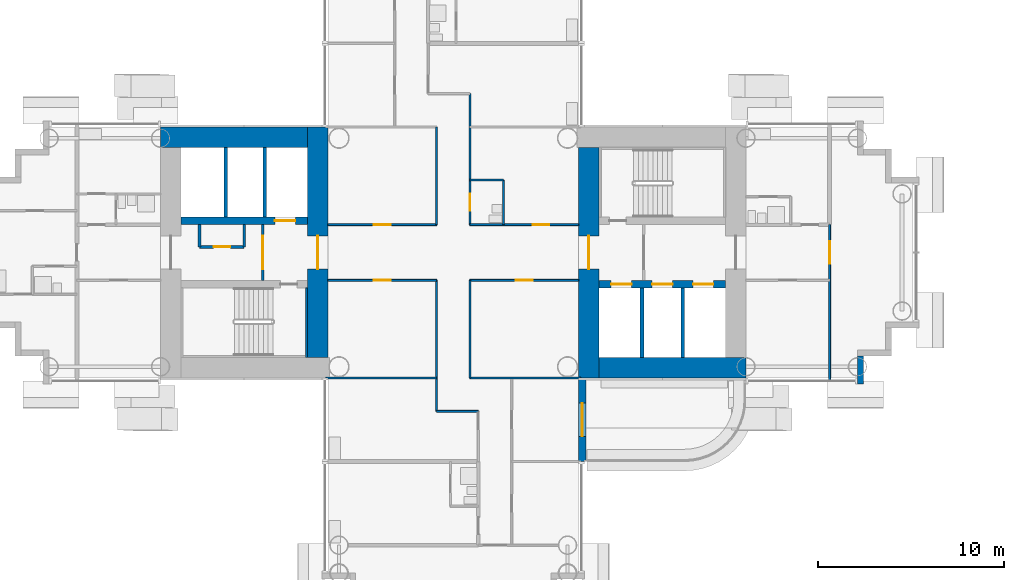
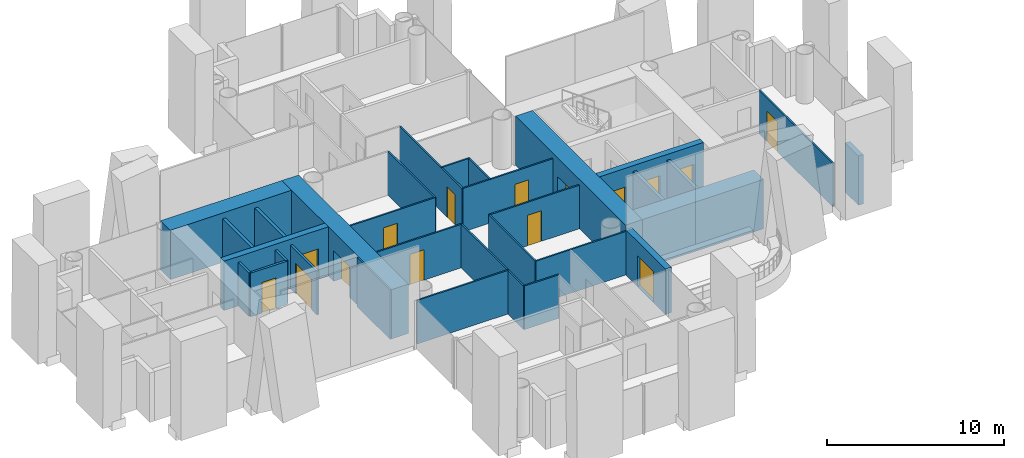
# One storey, part 11 of 23: 31 walls, 15 doors, 15 openings.
"""IFC4 building model written with IfcOpenShell, lengths in metres."""

from ifc_helpers import new_model, si_unit, direction, frame, frame_2d, origin, place, context, subcontext, project, spatial, rectangle, extrude, material, layer, layer_set, type_object, element, fill, save


model = new_model("IFC4")

# Units and contexts
model_context = context("Model", 3, precision=1e-05, world=origin(), true_north=direction((0.0, 1.0)))
body_context = subcontext(model_context, "Body", "Model", "MODEL_VIEW")
ifc_project = project(units=[si_unit("LENGTHUNIT", "METRE"), si_unit("AREAUNIT", "SQUARE_METRE"), si_unit("VOLUMEUNIT", "CUBIC_METRE"), si_unit("PLANEANGLEUNIT", "RADIAN"), si_unit("MASSUNIT", "GRAM", prefix="KILO")], contexts=[model_context])

# Site, building, storey
site_placement = place(None, origin())
site = spatial("IfcSite", under=ifc_project, at=site_placement, CompositionType="ELEMENT")
building_placement = place(site_placement, origin())
building = spatial("IfcBuilding", under=site, at=building_placement, Name="Ipe Terrace Towers", CompositionType="ELEMENT")
storey_placement = place(building_placement, frame((0.0, 0.0, 44.89990234375)))
storey = spatial("IfcBuildingStorey", under=building, at=storey_placement, Name="L11", CompositionType="ELEMENT", Elevation=44.89990234375)

# Wall, opening, door
ifc_material_1 = material(Name="Concrete C40/50 with buff precast cladding", Category="concrete")
ifc_layer_1 = layer(ifc_material_1, 0.39990234375)
ifc_layer_set_1 = layer_set([ifc_layer_1], Name="BALCONY BAY WALL 400")
wall_type_1 = type_object("IfcWallType", Name="BALCONY BAY WALL 400", PredefinedType="STANDARD", material=ifc_layer_set_1)
wall_1_placement = place(storey_placement, frame((-29.050048828125, -11.25, -0.02001953125), z_axis=(0.0, 0.0, 1.0), x_axis=(0.0, 1.0, 0.0)))
wall_1 = element("IfcWall", 1, at=wall_1_placement, inside=storey, type_object=wall_type_1, Name="T1-W-L11-18a wall", PredefinedType="STANDARD", context=body_context, shape_type="SweptSolid", body=[
    extrude(rectangle(XDim=4.5, YDim=0.39990234375, at=frame_2d((2.25, 0.0))), origin(), (0.0, 0.0, 1.0), 3.1201171875),
])
opening_1_placement = place(wall_1_placement, frame((1.35009765625, 0.0, 0.02001953125)))
opening_1 = element("IfcOpeningElement", 2, at=opening_1_placement, cuts=wall_1, Name="Opening T1-D-L11-18", PredefinedType="OPENING", context=body_context, shape_type="SweptSolid", body=[
    extrude(rectangle(XDim=1.800048828125, YDim=2.10009765625, at=frame_2d((0.89990234375, 1.050048828125))), frame((0.0, 0.2099609375, 0.0), z_axis=(0.0, -1.0, 0.0), x_axis=(1.0, 0.0, 0.0)), (0.0, 0.0, 1.0), 0.419921875),
])
ifc_material_2 = material(Name="Aluminium alloy 6063-T6 framed glazed door", Category="aluminium")
door_type_1 = type_object("IfcDoorType", Name="BALCONY DOOR 1800 x 2100 LEFT", OperationType="SINGLE_SWING_LEFT", PredefinedType="DOOR", material=ifc_material_2)
door_1_placement = place(opening_1_placement, origin())
door_1 = element("IfcDoor", 3, at=door_1_placement, inside=storey, type_object=door_type_1, Name="DB1 door", OperationType="SINGLE_SWING_LEFT", OverallHeight=2.10009765625, OverallWidth=1.800048828125, PredefinedType="DOOR", context=body_context, shape_type="SweptSolid", body=[
    extrude(rectangle(XDim=1.800048828125, YDim=2.10009765625, at=frame_2d((0.89990234375, 1.050048828125))), frame((0.0, 0.02490234375, 0.0), z_axis=(0.0, -1.0, 0.0), x_axis=(1.0, 0.0, 0.0)), (0.0, 0.0, 1.0), 0.050048828125),
])
fill(opening_1, door_1)

# Walls
ifc_material_3 = material(Name="Concrete C40/50 with buff precast cladding", Category="concrete")
ifc_layer_2 = layer(ifc_material_3, 0.320068359375)
ifc_layer_set_2 = layer_set([ifc_layer_2], Name="BUFF CLADDING WALL 320")
wall_type_2 = type_object("IfcWallType", Name="BUFF CLADDING WALL 320", PredefinedType="STANDARD", material=ifc_layer_set_2)
wall_2_placement = place(storey_placement, frame((-14.090087890625, -7.070068359375, -0.2998046875), z_axis=(0.0, 0.0, 1.0), x_axis=(0.0, 1.0, 0.0)))
element("IfcWall", 4, at=wall_2_placement, inside=storey, type_object=wall_type_2, Name="T1-W-L11-21a wall", PredefinedType="STANDARD", context=body_context, shape_type="SweptSolid", body=[
    extrude(rectangle(XDim=1.5, YDim=0.320068359375, at=frame_2d((0.75, 0.0))), origin(), (0.0, 0.0, 1.0), 3.39990234375),
])
ifc_material_4 = material(Name="Gypsum board partition", Category="plasterboard")
ifc_layer_3 = layer(ifc_material_4, 0.10009765625)
ifc_layer_set_3 = layer_set([ifc_layer_3], Name="Gypsum board partition 100 mm")
wall_type_3 = type_object("IfcWallType", Name="Gypsum board partition 100 mm", PredefinedType="PARTITIONING", material=ifc_layer_set_3)
wall_3_placement = place(storey_placement, frame((-36.89990234375, -8.550048828125, 0.0), z_axis=(0.0, 0.0, 1.0), x_axis=(0.0, 1.0, 0.0)))
element("IfcWall", 5, at=wall_3_placement, inside=storey, type_object=wall_type_3, Name="Gypsum board partition T1 L11 W07", PredefinedType="PARTITIONING", context=body_context, shape_type="SweptSolid", body=[
    extrude(rectangle(XDim=7.050048828125, YDim=0.10009765625, at=frame_2d((3.52490234375, 0.0))), origin(), (0.0, 0.0, 1.0), 3.0),
])
for number, where, z_axis, x_axis, name in (
    (6, (-36.89990234375, 1.5, 0.0), (0.0, 0.0, 1.0), (0.0, 1.0, 0.0), "Gypsum board partition T1 L11 W08"),
    (7, (-35.10009765625, -6.75, 0.0), (0.0, 0.0, 1.0), (0.0, 1.0, 0.0), "Gypsum board partition T1 L11 W11"),
):
    element("IfcWall", number, at=place(storey_placement, frame(where, z_axis=z_axis, x_axis=x_axis)), inside=storey, type_object=wall_type_3, Name=name, PredefinedType="PARTITIONING", context=body_context, shape_type="SweptSolid", body=[
        extrude(rectangle(XDim=5.25, YDim=0.10009765625, at=frame_2d((2.625, 0.0))), origin(), (0.0, 0.0, 1.0), 3.0),
    ])

# Wall, opening, door
wall_4_placement = place(storey_placement, frame((-35.10009765625, 1.5, 0.0), z_axis=(0.0, 0.0, 1.0), x_axis=(0.0, 1.0, 0.0)))
wall_4 = element("IfcWall", 8, at=wall_4_placement, inside=storey, type_object=wall_type_3, Name="Gypsum board partition T1 L11 W12", PredefinedType="PARTITIONING", context=body_context, shape_type="SweptSolid", body=[
    extrude(rectangle(XDim=7.050048828125, YDim=0.10009765625, at=frame_2d((3.52490234375, 0.0))), origin(), (0.0, 0.0, 1.0), 3.0),
])
opening_2_placement = place(wall_4_placement, frame((0.75, 0.0, 0.0)))
opening_2 = element("IfcOpeningElement", 9, at=opening_2_placement, cuts=wall_4, Name="Opening T1-Z1C-01", PredefinedType="OPENING", context=body_context, shape_type="SweptSolid", body=[
    extrude(rectangle(XDim=0.89990234375, YDim=2.10009765625, at=frame_2d((0.449951171875, 1.050048828125))), frame((0.0, 0.06005859375, 0.0), z_axis=(0.0, -1.0, 0.0), x_axis=(1.0, 0.0, 0.0)), (0.0, 0.0, 1.0), 0.1201171875),
])
ifc_material_5 = material(Name="Timber door leaf", Category="wood")
door_type_2 = type_object("IfcDoorType", Name="Bathroom door 900 x 2100", OperationType="NOTDEFINED", PredefinedType="DOOR", material=ifc_material_5)
door_2_placement = place(opening_2_placement, origin())
door_2 = element("IfcDoor", 10, at=door_2_placement, inside=storey, type_object=door_type_2, Name="Bathroom door T1-Z1C-01", OperationType="SINGLE_SWING_LEFT", OverallHeight=2.10009765625, OverallWidth=0.89990234375, PredefinedType="DOOR", context=body_context, shape_type="SweptSolid", body=[
    extrude(rectangle(XDim=0.89990234375, YDim=2.10009765625, at=frame_2d((0.449951171875, 1.050048828125))), frame((0.0, 0.02490234375, 0.0), z_axis=(0.0, -1.0, 0.0), x_axis=(1.0, 0.0, 0.0)), (0.0, 0.0, 1.0), 0.050048828125),
])
fill(opening_2, door_2)

# Wall
wall_5_placement = place(storey_placement, frame((-33.300048828125, 1.5, 0.0), z_axis=(0.0, 0.0, 1.0), x_axis=(0.0, 1.0, 0.0)))
element("IfcWall", 11, at=wall_5_placement, inside=storey, type_object=wall_type_3, Name="Gypsum board partition T1 L11 W15", PredefinedType="PARTITIONING", context=body_context, shape_type="SweptSolid", body=[
    extrude(rectangle(XDim=2.39990234375, YDim=0.10009765625, at=frame_2d((1.199951171875, 0.0))), origin(), (0.0, 0.0, 1.0), 3.0),
])

# Wall, opening, door
wall_6_placement = place(storey_placement, frame((-15.75, -6.85009765625, 0.0), z_axis=(0.0, 0.0, 1.0), x_axis=(0.0, 1.0, 0.0)))
wall_6 = element("IfcWall", 12, at=wall_6_placement, inside=storey, type_object=wall_type_3, Name="Gypsum board partition T1 L11 W18", PredefinedType="PARTITIONING", context=body_context, shape_type="SweptSolid", body=[
    extrude(rectangle(XDim=8.35009765625, YDim=0.10009765625, at=frame_2d((4.175048828125, 0.0))), origin(), (0.0, 0.0, 1.0), 3.0),
])
opening_3_placement = place(wall_6_placement, frame((6.25, 0.0, 0.0)))
opening_3 = element("IfcOpeningElement", 13, at=opening_3_placement, cuts=wall_6, Name="Opening T1-Z1C-21", PredefinedType="OPENING", context=body_context, shape_type="SweptSolid", body=[
    extrude(rectangle(XDim=1.199951171875, YDim=2.10009765625, at=frame_2d((0.60009765625, 1.050048828125))), frame((0.0, 0.06005859375, 0.0), z_axis=(0.0, -1.0, 0.0), x_axis=(1.0, 0.0, 0.0)), (0.0, 0.0, 1.0), 0.1201171875),
])
ifc_material_6 = material(Name="Timber door leaf", Category="wood")
door_type_3 = type_object("IfcDoorType", Name="Lounge door 1200 x 2100", OperationType="NOTDEFINED", PredefinedType="DOOR", material=ifc_material_6)
door_3_placement = place(opening_3_placement, origin())
door_3 = element("IfcDoor", 14, at=door_3_placement, inside=storey, type_object=door_type_3, Name="Lounge door T1-Z1C-21", OperationType="SINGLE_SWING_RIGHT", OverallHeight=2.10009765625, OverallWidth=1.199951171875, PredefinedType="DOOR", context=body_context, shape_type="SweptSolid", body=[
    extrude(rectangle(XDim=1.199951171875, YDim=2.10009765625, at=frame_2d((0.60009765625, 1.050048828125))), frame((0.0, 0.02490234375, 0.0), z_axis=(0.0, -1.0, 0.0), x_axis=(1.0, 0.0, 0.0)), (0.0, 0.0, 1.0), 0.050048828125),
])
fill(opening_3, door_3)

# Walls
wall_7_placement = place(storey_placement, frame((-36.89990234375, -8.550048828125, 0.0), z_axis=(0.0, 0.0, 1.0), x_axis=(1.0, 0.0, 0.0)))
element("IfcWall", 15, at=wall_7_placement, inside=storey, type_object=wall_type_3, Name="Gypsum board partition T1 L11 W25", PredefinedType="PARTITIONING", context=body_context, shape_type="SweptSolid", body=[
    extrude(rectangle(XDim=2.25, YDim=0.10009765625, at=frame_2d((1.125, 0.0))), origin(), (0.0, 0.0, 1.0), 3.0),
])
for number, where, z_axis, x_axis, name in (
    (16, (-42.85009765625, -6.75, 0.0), (0.0, 0.0, 1.0), (1.0, 0.0, 0.0), "Gypsum board partition T1 L11 W26"),
    (17, (-35.10009765625, -6.75, 0.0), (0.0, 0.0, 1.0), (1.0, 0.0, 0.0), "Gypsum board partition T1 L11 W27"),
):
    element("IfcWall", number, at=place(storey_placement, frame(where, z_axis=z_axis, x_axis=x_axis)), inside=storey, type_object=wall_type_3, Name=name, PredefinedType="PARTITIONING", context=body_context, shape_type="SweptSolid", body=[
        extrude(rectangle(XDim=5.9501953125, YDim=0.10009765625, at=frame_2d((2.97509765625, 0.0))), origin(), (0.0, 0.0, 1.0), 3.0),
    ])

# Wall, opening, door
wall_8_placement = place(storey_placement, frame((-42.75, -1.5, 0.0), z_axis=(0.0, 0.0, 1.0), x_axis=(1.0, 0.0, 0.0)))
wall_8 = element("IfcWall", 18, at=wall_8_placement, inside=storey, type_object=wall_type_3, Name="Gypsum board partition T1 L11 W30", PredefinedType="PARTITIONING", context=body_context, shape_type="SweptSolid", body=[
    extrude(rectangle(XDim=5.85009765625, YDim=0.10009765625, at=frame_2d((2.925048828125, 0.0))), origin(), (0.0, 0.0, 1.0), 3.0),
])
opening_4_placement = place(wall_8_placement, frame((2.47509765625, 0.0, 0.0)))
opening_4 = element("IfcOpeningElement", 19, at=opening_4_placement, cuts=wall_8, Name="Opening T1-Z1C-04", PredefinedType="OPENING", context=body_context, shape_type="SweptSolid", body=[
    extrude(rectangle(XDim=0.89990234375, YDim=2.10009765625, at=frame_2d((0.449951171875, 1.050048828125))), frame((0.0, 0.06005859375, 0.0), z_axis=(0.0, -1.0, 0.0), x_axis=(1.0, 0.0, 0.0)), (0.0, 0.0, 1.0), 0.1201171875),
])
ifc_material_7 = material(Name="Timber door leaf", Category="wood")
door_type_4 = type_object("IfcDoorType", Name="Lounge door 900 x 2100", OperationType="NOTDEFINED", PredefinedType="DOOR", material=ifc_material_7)
door_4_placement = place(opening_4_placement, origin())
door_4 = element("IfcDoor", 20, at=door_4_placement, inside=storey, type_object=door_type_4, Name="Lounge door T1-Z1C-04", OperationType="SINGLE_SWING_LEFT", OverallHeight=2.10009765625, OverallWidth=0.89990234375, PredefinedType="DOOR", context=body_context, shape_type="SweptSolid", body=[
    extrude(rectangle(XDim=0.89990234375, YDim=2.10009765625, at=frame_2d((0.449951171875, 1.050048828125))), frame((0.0, 0.02490234375, 0.0), z_axis=(0.0, -1.0, 0.0), x_axis=(1.0, 0.0, 0.0)), (0.0, 0.0, 1.0), 0.050048828125),
])
fill(opening_4, door_4)

wall_9_placement = place(storey_placement, frame((-35.10009765625, -1.5, 0.0), z_axis=(0.0, 0.0, 1.0), x_axis=(1.0, 0.0, 0.0)))
wall_9 = element("IfcWall", 21, at=wall_9_placement, inside=storey, type_object=wall_type_3, Name="Gypsum board partition T1 L11 W31", PredefinedType="PARTITIONING", context=body_context, shape_type="SweptSolid", body=[
    extrude(rectangle(XDim=5.85009765625, YDim=0.10009765625, at=frame_2d((2.925048828125, 0.0))), origin(), (0.0, 0.0, 1.0), 3.0),
])
opening_5_placement = place(wall_9_placement, frame((2.47509765625, 0.0, 0.0)))
opening_5 = element("IfcOpeningElement", 22, at=opening_5_placement, cuts=wall_9, Name="Opening T1-Z1C-05", PredefinedType="OPENING", context=body_context, shape_type="SweptSolid", body=[
    extrude(rectangle(XDim=0.89990234375, YDim=2.10009765625, at=frame_2d((0.449951171875, 1.050048828125))), frame((0.0, 0.06005859375, 0.0), z_axis=(0.0, -1.0, 0.0), x_axis=(1.0, 0.0, 0.0)), (0.0, 0.0, 1.0), 0.1201171875),
])
door_5_placement = place(opening_5_placement, origin())
door_5 = element("IfcDoor", 23, at=door_5_placement, inside=storey, type_object=door_type_4, Name="Lounge door T1-Z1C-05", OperationType="SINGLE_SWING_RIGHT", OverallHeight=2.10009765625, OverallWidth=0.89990234375, PredefinedType="DOOR", context=body_context, shape_type="SweptSolid", body=[
    extrude(rectangle(XDim=0.89990234375, YDim=2.10009765625, at=frame_2d((0.449951171875, 1.050048828125))), frame((0.0, 0.02490234375, 0.0), z_axis=(0.0, -1.0, 0.0), x_axis=(1.0, 0.0, 0.0)), (0.0, 0.0, 1.0), 0.050048828125),
])
fill(opening_5, door_5)

wall_10_placement = place(storey_placement, frame((-42.75, 1.5, 0.0), z_axis=(0.0, 0.0, 1.0), x_axis=(1.0, 0.0, 0.0)))
wall_10 = element("IfcWall", 24, at=wall_10_placement, inside=storey, type_object=wall_type_3, Name="Gypsum board partition T1 L11 W34", PredefinedType="PARTITIONING", context=body_context, shape_type="SweptSolid", body=[
    extrude(rectangle(XDim=5.85009765625, YDim=0.10009765625, at=frame_2d((2.925048828125, 0.0))), origin(), (0.0, 0.0, 1.0), 3.0),
])
opening_6_placement = place(wall_10_placement, frame((2.47509765625, 0.0, 0.0)))
opening_6 = element("IfcOpeningElement", 25, at=opening_6_placement, cuts=wall_10, Name="Opening T1-Z1C-03", PredefinedType="OPENING", context=body_context, shape_type="SweptSolid", body=[
    extrude(rectangle(XDim=0.89990234375, YDim=2.10009765625, at=frame_2d((0.449951171875, 1.050048828125))), frame((0.0, 0.06005859375, 0.0), z_axis=(0.0, -1.0, 0.0), x_axis=(1.0, 0.0, 0.0)), (0.0, 0.0, 1.0), 0.1201171875),
])
door_6_placement = place(opening_6_placement, origin())
door_6 = element("IfcDoor", 26, at=door_6_placement, inside=storey, type_object=door_type_4, Name="Lounge door T1-Z1C-03", OperationType="SINGLE_SWING_RIGHT", OverallHeight=2.10009765625, OverallWidth=0.89990234375, PredefinedType="DOOR", context=body_context, shape_type="SweptSolid", body=[
    extrude(rectangle(XDim=0.89990234375, YDim=2.10009765625, at=frame_2d((0.449951171875, 1.050048828125))), frame((0.0, 0.02490234375, 0.0), z_axis=(0.0, -1.0, 0.0), x_axis=(1.0, 0.0, 0.0)), (0.0, 0.0, 1.0), 0.050048828125),
])
fill(opening_6, door_6)

wall_11_placement = place(storey_placement, frame((-35.10009765625, 1.5, 0.0), z_axis=(0.0, 0.0, 1.0), x_axis=(1.0, 0.0, 0.0)))
wall_11 = element("IfcWall", 27, at=wall_11_placement, inside=storey, type_object=wall_type_3, Name="Gypsum board partition T1 L11 W35", PredefinedType="PARTITIONING", context=body_context, shape_type="SweptSolid", body=[
    extrude(rectangle(XDim=5.85009765625, YDim=0.10009765625, at=frame_2d((2.925048828125, 0.0))), origin(), (0.0, 0.0, 1.0), 3.0),
])
opening_7_placement = place(wall_11_placement, frame((3.375, 0.0, 0.0)))
opening_7 = element("IfcOpeningElement", 28, at=opening_7_placement, cuts=wall_11, Name="Opening T1-Z1C-02", PredefinedType="OPENING", context=body_context, shape_type="SweptSolid", body=[
    extrude(rectangle(XDim=0.89990234375, YDim=2.10009765625, at=frame_2d((0.449951171875, 1.050048828125))), frame((0.0, 0.06005859375, 0.0), z_axis=(0.0, -1.0, 0.0), x_axis=(1.0, 0.0, 0.0)), (0.0, 0.0, 1.0), 0.1201171875),
])
door_7_placement = place(opening_7_placement, origin())
door_7 = element("IfcDoor", 29, at=door_7_placement, inside=storey, type_object=door_type_4, Name="Lounge door T1-Z1C-02", OperationType="SINGLE_SWING_LEFT", OverallHeight=2.10009765625, OverallWidth=0.89990234375, PredefinedType="DOOR", context=body_context, shape_type="SweptSolid", body=[
    extrude(rectangle(XDim=0.89990234375, YDim=2.10009765625, at=frame_2d((0.449951171875, 1.050048828125))), frame((0.0, 0.02490234375, 0.0), z_axis=(0.0, -1.0, 0.0), x_axis=(1.0, 0.0, 0.0)), (0.0, 0.0, 1.0), 0.050048828125),
])
fill(opening_7, door_7)

# Wall
wall_12_placement = place(storey_placement, frame((-35.10009765625, 3.89990234375, 0.0), z_axis=(0.0, 0.0, 1.0), x_axis=(1.0, 0.0, 0.0)))
element("IfcWall", 30, at=wall_12_placement, inside=storey, type_object=wall_type_3, Name="Gypsum board partition T1 L11 W41", PredefinedType="PARTITIONING", context=body_context, shape_type="SweptSolid", body=[
    extrude(rectangle(XDim=1.800048828125, YDim=0.10009765625, at=frame_2d((0.89990234375, 0.0))), origin(), (0.0, 0.0, 1.0), 3.0),
])

# Wall, opening, door
ifc_material_8 = material(Name="Gypsum board partition", Category="plasterboard")
ifc_layer_4 = layer(ifc_material_8, 0.14990234375)
ifc_layer_set_4 = layer_set([ifc_layer_4], Name="Gypsum board partition 150 mm")
wall_type_4 = type_object("IfcWallType", Name="Gypsum board partition 150 mm", PredefinedType="PARTITIONING", material=ifc_layer_set_4)
wall_13_placement = place(storey_placement, frame((-46.25, 1.5, 0.0), z_axis=(0.0, 0.0, 1.0), x_axis=(0.0, -1.0, 0.0)))
wall_13 = element("IfcWall", 31, at=wall_13_placement, inside=storey, type_object=wall_type_4, Name="Gypsum board partition T1 L11 t1c2-lobby-wall", PredefinedType="PARTITIONING", context=body_context, shape_type="SweptSolid", body=[
    extrude(rectangle(XDim=3.0, YDim=0.14990234375, at=frame_2d((1.5, 0.0))), origin(), (0.0, 0.0, 1.0), 3.0),
])
opening_8_placement = place(wall_13_placement, frame((0.60009765625, 0.0, 0.0)))
opening_8 = element("IfcOpeningElement", 32, at=opening_8_placement, cuts=wall_13, Name="Opening T1C2-VD", PredefinedType="OPENING", context=body_context, shape_type="SweptSolid", body=[
    extrude(rectangle(XDim=1.800048828125, YDim=2.10009765625, at=frame_2d((0.89990234375, 1.050048828125))), frame((0.0, 0.0849609375, 0.0), z_axis=(0.0, -1.0, 0.0), x_axis=(1.0, 0.0, 0.0)), (0.0, 0.0, 1.0), 0.169921875),
])
ifc_material_9 = material(Name="Fire-rated timber door leaf", Category="wood")
door_type_5 = type_object("IfcDoorType", Name="Lobby door 1800 x 2100 FD60", OperationType="NOTDEFINED", PredefinedType="DOOR", material=ifc_material_9)
door_8_placement = place(opening_8_placement, origin())
door_8 = element("IfcDoor", 33, at=door_8_placement, inside=storey, type_object=door_type_5, Name="Lobby door T1C2-VD", OperationType="SINGLE_SWING_LEFT", OverallHeight=2.10009765625, OverallWidth=1.800048828125, PredefinedType="DOOR", context=body_context, shape_type="SweptSolid", body=[
    extrude(rectangle(XDim=1.800048828125, YDim=2.10009765625, at=frame_2d((0.89990234375, 1.050048828125))), frame((0.0, 0.02490234375, 0.0), z_axis=(0.0, -1.0, 0.0), x_axis=(1.0, 0.0, 0.0)), (0.0, 0.0, 1.0), 0.050048828125),
])
fill(opening_8, door_8)

wall_14_placement = place(storey_placement, frame((-47.25, 0.300048828125, 0.0), z_axis=(0.0, 0.0, 1.0), x_axis=(-1.0, 0.0, 0.0)))
wall_14 = element("IfcWall", 34, at=wall_14_placement, inside=storey, type_object=wall_type_4, Name="Gypsum board partition T1 L11 t1c2-cup-s-f", PredefinedType="PARTITIONING", context=body_context, shape_type="SweptSolid", body=[
    extrude(rectangle(XDim=2.39990234375, YDim=0.14990234375, at=frame_2d((1.199951171875, 0.0))), origin(), (0.0, 0.0, 1.0), 3.0),
])
opening_9_placement = place(wall_14_placement, frame((0.75, 0.0, 0.0)))
opening_9 = element("IfcOpeningElement", 35, at=opening_9_placement, cuts=wall_14, Name="Opening T1C2-SC", PredefinedType="OPENING", context=body_context, shape_type="SweptSolid", body=[
    extrude(rectangle(XDim=0.89990234375, YDim=2.10009765625, at=frame_2d((0.449951171875, 1.050048828125))), frame((0.0, 0.0849609375, 0.0), z_axis=(0.0, -1.0, 0.0), x_axis=(1.0, 0.0, 0.0)), (0.0, 0.0, 1.0), 0.169921875),
])
ifc_material_10 = material(Name="Fire-rated timber door leaf", Category="wood")
door_type_6 = type_object("IfcDoorType", Name="Service door 900 x 2100 FD30S", OperationType="NOTDEFINED", PredefinedType="DOOR", material=ifc_material_10)
door_9_placement = place(opening_9_placement, origin())
door_9 = element("IfcDoor", 36, at=door_9_placement, inside=storey, type_object=door_type_6, Name="Service door T1C2-SC", OperationType="SINGLE_SWING_LEFT", OverallHeight=2.10009765625, OverallWidth=0.89990234375, PredefinedType="DOOR", context=body_context, shape_type="SweptSolid", body=[
    extrude(rectangle(XDim=0.89990234375, YDim=2.10009765625, at=frame_2d((0.449951171875, 1.050048828125))), frame((0.0, 0.02490234375, 0.0), z_axis=(0.0, -1.0, 0.0), x_axis=(1.0, 0.0, 0.0)), (0.0, 0.0, 1.0), 0.050048828125),
])
fill(opening_9, door_9)

# Walls
for number, where, z_axis, x_axis, name in (
    (37, (-47.25, 0.300048828125, 0.0), (0.0, 0.0, 1.0), (0.0, 1.0, 0.0), "Gypsum board partition T1 L11 t1c2-cup-s-a"),
    (38, (-49.64990234375, 0.300048828125, 0.0), (0.0, 0.0, 1.0), (0.0, 1.0, 0.0), "Gypsum board partition T1 L11 t1c2-cup-s-b"),
):
    element("IfcWall", number, at=place(storey_placement, frame(where, z_axis=z_axis, x_axis=x_axis)), inside=storey, type_object=wall_type_4, Name=name, PredefinedType="PARTITIONING", context=body_context, shape_type="SweptSolid", body=[
        extrude(rectangle(XDim=1.199951171875, YDim=0.14990234375, at=frame_2d((0.60009765625, 0.0))), origin(), (0.0, 0.0, 1.0), 3.0),
    ])
ifc_material_11 = material(Name="Gypsum board party wall", Category="plasterboard")
ifc_layer_5 = layer(ifc_material_11, 0.199951171875)
ifc_layer_set_5 = layer_set([ifc_layer_5], Name="Gypsum board party wall 200 mm")
wall_type_5 = type_object("IfcWallType", Name="Gypsum board party wall 200 mm", PredefinedType="SOLIDWALL", material=ifc_layer_set_5)
for number, where, z_axis, x_axis, name in (
    (39, (-25.85009765625, -5.64990234375, 0.0), (0.0, 0.0, 1.0), (0.0, 1.0, 0.0), "Gypsum board party wall T1 L11 t1c1-shaft-div1"),
    (40, (-23.64990234375, -5.64990234375, 0.0), (0.0, 0.0, 1.0), (0.0, 1.0, 0.0), "Gypsum board party wall T1 L11 t1c1-shaft-div2"),
    (41, (-46.14990234375, 5.64990234375, 0.0), (0.0, 0.0, 1.0), (0.0, -1.0, 0.0), "Gypsum board party wall T1 L11 t1c2-shaft-div1"),
    (42, (-48.25, 5.64990234375, 0.0), (0.0, 0.0, 1.0), (0.0, -1.0, 0.0), "Gypsum board party wall T1 L11 t1c2-shaft-div2"),
):
    element("IfcWall", number, at=place(storey_placement, frame(where, z_axis=z_axis, x_axis=x_axis)), inside=storey, type_object=wall_type_5, Name=name, PredefinedType="SOLIDWALL", context=body_context, shape_type="SweptSolid", body=[
        extrude(rectangle(XDim=3.75, YDim=0.199951171875, at=frame_2d((1.875, 0.0))), origin(), (0.0, 0.0, 1.0), 3.0),
    ])
ifc_material_12 = material(Name="Concrete C60/75", Category="concrete")
ifc_layer_6 = layer(ifc_material_12, 0.10009765625)
ifc_layer_set_6 = layer_set([ifc_layer_6], Name="RW100 CORE INFILL WALL 100 C60-75")
wall_type_6 = type_object("IfcWallType", Name="RW100 CORE INFILL WALL 100 C60-75", PredefinedType="SHEAR", material=ifc_layer_set_6)
wall_15_placement = place(storey_placement, frame((-43.89990234375, -1.89990234375, 0.0), z_axis=(0.0, 0.0, 1.0), x_axis=(0.0, -1.0, 0.0)))
element("IfcWall", 43, at=wall_15_placement, inside=storey, type_object=wall_type_6, Name="Core infill wall T1-C2-near", PredefinedType="SHEAR", context=body_context, shape_type="SweptSolid", body=[
    extrude(rectangle(XDim=3.75, YDim=0.10009765625, at=frame_2d((1.875, 0.0))), origin(), (0.0, 0.0, 1.0), 3.400146484375),
])
ifc_material_13 = material(Name="Concrete C60/75", Category="concrete")
ifc_layer_7 = layer(ifc_material_13, 1.10009765625)
ifc_layer_set_7 = layer_set([ifc_layer_7], Name="RW1100 CORE WALL 1100 C60-75")
wall_type_7 = type_object("IfcWallType", Name="RW1100 CORE WALL 1100 C60-75", PredefinedType="SHEAR", material=ifc_layer_set_7)
wall_16_placement = place(storey_placement, frame((-28.14990234375, -6.199951171875, 0.0), z_axis=(0.0, 0.0, 1.0), x_axis=(1.0, 0.0, 0.0)))
element("IfcWall", 44, at=wall_16_placement, inside=storey, type_object=wall_type_7, Name="Core wall T1-C1-Z1-W01", PredefinedType="SHEAR", context=body_context, shape_type="SweptSolid", body=[
    extrude(rectangle(XDim=7.89990234375, YDim=1.10009765625, at=frame_2d((3.949951171875, 0.0))), origin(), (0.0, 0.0, 1.0), 3.400146484375),
])

# Wall, opening, door
wall_17_placement = place(storey_placement, frame((-28.699951171875, 5.64990234375, 0.0), z_axis=(0.0, 0.0, 1.0), x_axis=(0.0, -1.0, 0.0)))
wall_17 = element("IfcWall", 45, at=wall_17_placement, inside=storey, type_object=wall_type_7, Name="Core wall T1-C1-Z1-W04", PredefinedType="SHEAR", context=body_context, shape_type="SweptSolid", body=[
    extrude(rectangle(XDim=12.39990234375, YDim=1.10009765625, at=frame_2d((6.199951171875, 0.0))), origin(), (0.0, 0.0, 1.0), 3.400146484375),
])
opening_10_placement = place(wall_17_placement, frame((4.75, 0.0, 0.0)))
opening_10 = element("IfcOpeningElement", 46, at=opening_10_placement, cuts=wall_17, Name="Opening T1C1-ND", PredefinedType="OPENING", context=body_context, shape_type="SweptSolid", body=[
    extrude(rectangle(XDim=1.800048828125, YDim=2.10009765625, at=frame_2d((0.89990234375, 1.050048828125))), frame((0.0, 0.56005859375, 0.0), z_axis=(0.0, -1.0, 0.0), x_axis=(1.0, 0.0, 0.0)), (0.0, 0.0, 1.0), 1.1201171875),
])
ifc_material_14 = material(Name="Fire-rated timber door leaf", Category="wood")
door_type_7 = type_object("IfcDoorType", Name="Fire door 1800 x 2100 FD30S", OperationType="NOTDEFINED", PredefinedType="DOOR", material=ifc_material_14)
door_10_placement = place(opening_10_placement, origin())
door_10 = element("IfcDoor", 47, at=door_10_placement, inside=storey, type_object=door_type_7, Name="Fire door T1C1-ND", OperationType="SINGLE_SWING_LEFT", OverallHeight=2.10009765625, OverallWidth=1.800048828125, PredefinedType="DOOR", context=body_context, shape_type="SweptSolid", body=[
    extrude(rectangle(XDim=1.800048828125, YDim=2.10009765625, at=frame_2d((0.89990234375, 1.050048828125))), frame((0.0, 0.02490234375, 0.0), z_axis=(0.0, -1.0, 0.0), x_axis=(1.0, 0.0, 0.0)), (0.0, 0.0, 1.0), 0.050048828125),
])
fill(opening_10, door_10)

wall_18_placement = place(storey_placement, frame((-43.300048828125, -5.64990234375, 0.0), z_axis=(0.0, 0.0, 1.0), x_axis=(0.0, 1.0, 0.0)))
wall_18 = element("IfcWall", 48, at=wall_18_placement, inside=storey, type_object=wall_type_7, Name="Core wall T1-C2-Z1-W02", PredefinedType="SHEAR", context=body_context, shape_type="SweptSolid", body=[
    extrude(rectangle(XDim=12.39990234375, YDim=1.10009765625, at=frame_2d((6.199951171875, 0.0))), origin(), (0.0, 0.0, 1.0), 3.400146484375),
])
opening_11_placement = place(wall_18_placement, frame((4.75, 0.0, 0.0)))
opening_11 = element("IfcOpeningElement", 49, at=opening_11_placement, cuts=wall_18, Name="Opening T1C2-ND", PredefinedType="OPENING", context=body_context, shape_type="SweptSolid", body=[
    extrude(rectangle(XDim=1.800048828125, YDim=2.10009765625, at=frame_2d((0.89990234375, 1.050048828125))), frame((0.0, 0.56005859375, 0.0), z_axis=(0.0, -1.0, 0.0), x_axis=(1.0, 0.0, 0.0)), (0.0, 0.0, 1.0), 1.1201171875),
])
door_11_placement = place(opening_11_placement, origin())
door_11 = element("IfcDoor", 50, at=door_11_placement, inside=storey, type_object=door_type_7, Name="Fire door T1C2-ND", OperationType="SINGLE_SWING_LEFT", OverallHeight=2.10009765625, OverallWidth=1.800048828125, PredefinedType="DOOR", context=body_context, shape_type="SweptSolid", body=[
    extrude(rectangle(XDim=1.800048828125, YDim=2.10009765625, at=frame_2d((0.89990234375, 1.050048828125))), frame((0.0, 0.02490234375, 0.0), z_axis=(0.0, -1.0, 0.0), x_axis=(1.0, 0.0, 0.0)), (0.0, 0.0, 1.0), 0.050048828125),
])
fill(opening_11, door_11)

# Wall
wall_19_placement = place(storey_placement, frame((-43.85009765625, 6.199951171875, 0.0), z_axis=(0.0, 0.0, 1.0), x_axis=(-1.0, 0.0, 0.0)))
element("IfcWall", 51, at=wall_19_placement, inside=storey, type_object=wall_type_7, Name="Core wall T1-C2-Z1-W03", PredefinedType="SHEAR", context=body_context, shape_type="SweptSolid", body=[
    extrude(rectangle(XDim=7.89990234375, YDim=1.10009765625, at=frame_2d((3.949951171875, 0.0))), origin(), (0.0, 0.0, 1.0), 3.400146484375),
])

# Wall, openings, doors
ifc_material_15 = material(Name="Concrete C60/75", Category="concrete")
ifc_layer_8 = layer(ifc_material_15, 0.39990234375)
ifc_layer_set_8 = layer_set([ifc_layer_8], Name="RW400 CORE SPINE WALL 400 C60-75")
wall_type_8 = type_object("IfcWallType", Name="RW400 CORE SPINE WALL 400 C60-75", PredefinedType="SHEAR", material=ifc_layer_set_8)
wall_20_placement = place(storey_placement, frame((-28.14990234375, -1.699951171875, 0.0), z_axis=(0.0, 0.0, 1.0), x_axis=(1.0, 0.0, 0.0)))
wall_20 = element("IfcWall", 52, at=wall_20_placement, inside=storey, type_object=wall_type_8, Name="Core spine wall T1-C1-Z1-SW1", PredefinedType="SHEAR", context=body_context, shape_type="SweptSolid", body=[
    extrude(rectangle(XDim=6.7998046875, YDim=0.39990234375, at=frame_2d((3.39990234375, 0.0))), origin(), (0.0, 0.0, 1.0), 3.400146484375),
])
opening_12_placement = place(wall_20_placement, frame((0.64990234375, 0.0, 0.0)))
opening_12 = element("IfcOpeningElement", 53, at=opening_12_placement, cuts=wall_20, Name="Opening T1C1-LD1", PredefinedType="OPENING", context=body_context, shape_type="SweptSolid", body=[
    extrude(rectangle(XDim=1.10009765625, YDim=2.10009765625, at=frame_2d((0.550048828125, 1.050048828125))), frame((0.0, 0.2099609375, 0.0), z_axis=(0.0, -1.0, 0.0), x_axis=(1.0, 0.0, 0.0)), (0.0, 0.0, 1.0), 0.419921875),
])
opening_13_placement = place(wall_20_placement, frame((2.85009765625, 0.0, 0.0)))
opening_13 = element("IfcOpeningElement", 54, at=opening_13_placement, cuts=wall_20, Name="Opening T1C1-LD2", PredefinedType="OPENING", context=body_context, shape_type="SweptSolid", body=[
    extrude(rectangle(XDim=1.10009765625, YDim=2.10009765625, at=frame_2d((0.550048828125, 1.050048828125))), frame((0.0, 0.2099609375, 0.0), z_axis=(0.0, -1.0, 0.0), x_axis=(1.0, 0.0, 0.0)), (0.0, 0.0, 1.0), 0.419921875),
])
opening_14_placement = place(wall_20_placement, frame((5.050048828125, 0.0, 0.0)))
opening_14 = element("IfcOpeningElement", 55, at=opening_14_placement, cuts=wall_20, Name="Opening T1C1-LD3", PredefinedType="OPENING", context=body_context, shape_type="SweptSolid", body=[
    extrude(rectangle(XDim=1.10009765625, YDim=2.10009765625, at=frame_2d((0.550048828125, 1.050048828125))), frame((0.0, 0.2099609375, 0.0), z_axis=(0.0, -1.0, 0.0), x_axis=(1.0, 0.0, 0.0)), (0.0, 0.0, 1.0), 0.419921875),
])
ifc_material_16 = material(Name="Fire-rated timber door leaf", Category="wood")
door_type_8 = type_object("IfcDoorType", Name="Sliding door 1100 x 2100 FD60", OperationType="SLIDING_TO_LEFT", PredefinedType="DOOR", material=ifc_material_16)
door_12_placement = place(opening_12_placement, origin())
door_12 = element("IfcDoor", 56, at=door_12_placement, inside=storey, type_object=door_type_8, Name="Sliding door T1C1-LD1", OperationType="SLIDING_TO_LEFT", OverallHeight=2.10009765625, OverallWidth=1.10009765625, PredefinedType="DOOR", context=body_context, shape_type="SweptSolid", body=[
    extrude(rectangle(XDim=1.10009765625, YDim=2.10009765625, at=frame_2d((0.550048828125, 1.050048828125))), frame((0.0, 0.02490234375, 0.0), z_axis=(0.0, -1.0, 0.0), x_axis=(1.0, 0.0, 0.0)), (0.0, 0.0, 1.0), 0.050048828125),
])
fill(opening_12, door_12)
door_13_placement = place(opening_13_placement, origin())
door_13 = element("IfcDoor", 57, at=door_13_placement, inside=storey, type_object=door_type_8, Name="Sliding door T1C1-LD2", OperationType="SLIDING_TO_LEFT", OverallHeight=2.10009765625, OverallWidth=1.10009765625, PredefinedType="DOOR", context=body_context, shape_type="SweptSolid", body=[
    extrude(rectangle(XDim=1.10009765625, YDim=2.10009765625, at=frame_2d((0.550048828125, 1.050048828125))), frame((0.0, 0.02490234375, 0.0), z_axis=(0.0, -1.0, 0.0), x_axis=(1.0, 0.0, 0.0)), (0.0, 0.0, 1.0), 0.050048828125),
])
fill(opening_13, door_13)
door_14_placement = place(opening_14_placement, origin())
door_14 = element("IfcDoor", 58, at=door_14_placement, inside=storey, type_object=door_type_8, Name="Sliding door T1C1-LD3", OperationType="SLIDING_TO_LEFT", OverallHeight=2.10009765625, OverallWidth=1.10009765625, PredefinedType="DOOR", context=body_context, shape_type="SweptSolid", body=[
    extrude(rectangle(XDim=1.10009765625, YDim=2.10009765625, at=frame_2d((0.550048828125, 1.050048828125))), frame((0.0, 0.02490234375, 0.0), z_axis=(0.0, -1.0, 0.0), x_axis=(1.0, 0.0, 0.0)), (0.0, 0.0, 1.0), 0.050048828125),
])
fill(opening_14, door_14)

# Wall, opening, door
wall_21_placement = place(storey_placement, frame((-50.64990234375, 1.699951171875, 0.0), z_axis=(0.0, 0.0, 1.0), x_axis=(1.0, 0.0, 0.0)))
wall_21 = element("IfcWall", 59, at=wall_21_placement, inside=storey, type_object=wall_type_8, Name="Core spine wall T1-C2-Z1-SW2", PredefinedType="SHEAR", context=body_context, shape_type="SweptSolid", body=[
    extrude(rectangle(XDim=6.7998046875, YDim=0.39990234375, at=frame_2d((3.39990234375, 0.0))), origin(), (0.0, 0.0, 1.0), 3.400146484375),
])
opening_15_placement = place(wall_21_placement, frame((5.050048828125, 0.0, 0.0)))
opening_15 = element("IfcOpeningElement", 60, at=opening_15_placement, cuts=wall_21, Name="Opening T1C2-LD1", PredefinedType="OPENING", context=body_context, shape_type="SweptSolid", body=[
    extrude(rectangle(XDim=1.10009765625, YDim=2.10009765625, at=frame_2d((0.550048828125, 1.050048828125))), frame((0.0, 0.2099609375, 0.0), z_axis=(0.0, -1.0, 0.0), x_axis=(1.0, 0.0, 0.0)), (0.0, 0.0, 1.0), 0.419921875),
])
door_15_placement = place(opening_15_placement, origin())
door_15 = element("IfcDoor", 61, at=door_15_placement, inside=storey, type_object=door_type_8, Name="Sliding door T1C2-LD1", OperationType="SLIDING_TO_LEFT", OverallHeight=2.10009765625, OverallWidth=1.10009765625, PredefinedType="DOOR", context=body_context, shape_type="SweptSolid", body=[
    extrude(rectangle(XDim=1.10009765625, YDim=2.10009765625, at=frame_2d((0.550048828125, 1.050048828125))), frame((0.0, 0.02490234375, 0.0), z_axis=(0.0, -1.0, 0.0), x_axis=(1.0, 0.0, 0.0)), (0.0, 0.0, 1.0), 0.050048828125),
])
fill(opening_15, door_15)

save(model, "model.ifc")
